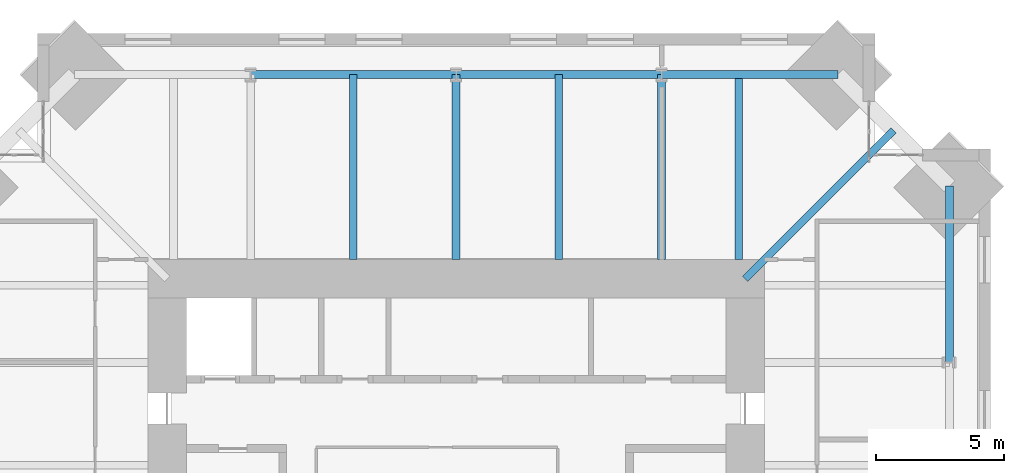
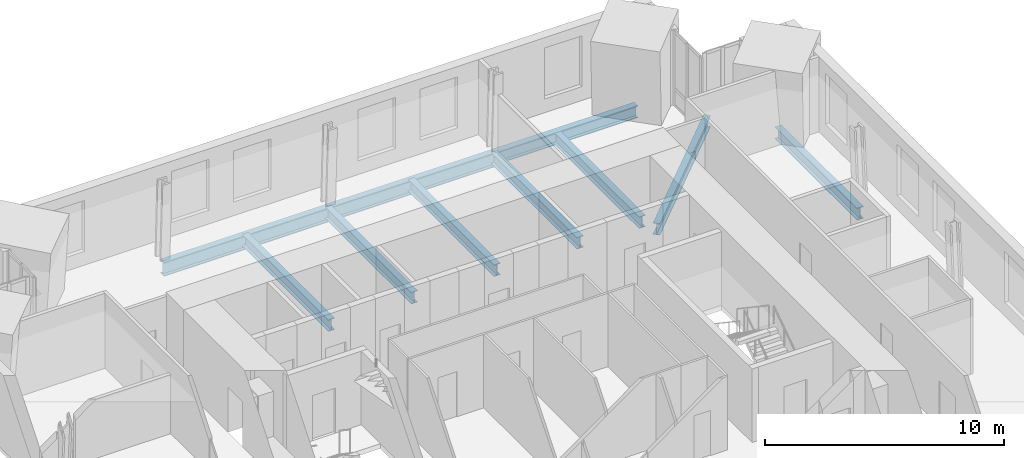
# One storey, part 7 of 15: 10 beams.
"""IFC4 building model written with IfcOpenShell, lengths in metres."""

from ifc_helpers import new_model, si_unit, direction, frame, origin, origin_2d, place, context, subcontext, project, spatial, i_section, extrude, material, material_profile, profile_set, type_object, element, save


model = new_model("IFC4")

# Units and contexts
model_context = context("Model", 3, precision=1e-05, world=origin(), true_north=direction((0.0, 1.0)))
body_context = subcontext(model_context, "Body", "Model", "MODEL_VIEW")
ifc_project = project(units=[si_unit("LENGTHUNIT", "METRE"), si_unit("AREAUNIT", "SQUARE_METRE"), si_unit("VOLUMEUNIT", "CUBIC_METRE"), si_unit("PLANEANGLEUNIT", "RADIAN"), si_unit("MASSUNIT", "GRAM", prefix="KILO")], contexts=[model_context])

# Site, building, storey
site_placement = place(None, origin())
site = spatial("IfcSite", under=ifc_project, at=site_placement, CompositionType="ELEMENT")
building_placement = place(site_placement, origin())
building = spatial("IfcBuilding", under=site, at=building_placement, Name="Peilmerk Tower", CompositionType="ELEMENT")
storey_placement = place(building_placement, frame((0.0, 0.0, 289.800048828125)))
storey = spatial("IfcBuildingStorey", under=building, at=storey_placement, Name="L65", CompositionType="ELEMENT", Elevation=289.800048828125)

# Beams
ifc_material = material(Name="Steel S355", Category="steel")
ifc_material_profile_1 = material_profile(ifc_material, i_section(OverallWidth=0.300048828125, OverallDepth=0.590087890625, WebThickness=0.012939453125, FlangeThickness=0.02490234375, at=origin_2d()), Name="HEA 600")
ifc_profile_set_1 = profile_set([ifc_material_profile_1], Name="Steel S355")
beam_type_1 = type_object("IfcBeamType", Name="B27 HEA 600 floor beam", PredefinedType="BEAM", material=ifc_profile_set_1)
for number, where, z_axis, x_axis, name in (
    (1, (11.0, 12.0, -0.465087890625), (0.0, 1.0, 0.0), (-1.0, 0.0, 0.0), "Floor beam L65"),
    (2, (8.0, 12.0, -0.465087890625), (0.0, 1.0, 0.0), (-1.0, 0.0, 0.0), "Floor beam L65"),
    (3, (4.0, 12.0, -0.465087890625), (0.0, 1.0, 0.0), (-1.0, 0.0, 0.0), "Floor beam L65"),
    (4, (0.0, 12.0, -0.465087890625), (0.0, 1.0, 0.0), (-1.0, 0.0, 0.0), "Floor beam L65"),
    (5, (-4.0, 12.0, -0.465087890625), (0.0, 1.0, 0.0), (-1.0, 0.0, 0.0), "Floor beam L65"),
):
    element("IfcBeam", number, at=place(storey_placement, frame(where, z_axis=z_axis, x_axis=x_axis)), inside=storey, type_object=beam_type_1, Name=name, PredefinedType="BEAM", context=body_context, shape_type="SweptSolid", body=[
        extrude(i_section(OverallWidth=0.300048828125, OverallDepth=0.590087890625, WebThickness=0.012939453125, FlangeThickness=0.02490234375, at=origin_2d()), origin(), (0.0, 0.0, 1.0), 7.211181640625),
    ])
beam_placement = place(storey_placement, frame((11.25, 11.25, -0.465087890625), z_axis=(0.707106781187, 0.707106781187, 0.0), x_axis=(-0.707106781187, 0.707106781187, 0.0)))
element("IfcBeam", 6, at=beam_placement, inside=storey, type_object=beam_type_1, Name="Corner girder L65", PredefinedType="BEAM", context=body_context, shape_type="SweptSolid", body=[
    extrude(i_section(OverallWidth=0.300048828125, OverallDepth=0.590087890625, WebThickness=0.012939453125, FlangeThickness=0.02490234375, at=origin_2d()), origin(), (0.0, 0.0, 1.0), 8.18310546875),
])
ifc_material_profile_2 = material_profile(ifc_material, i_section(OverallWidth=0.303955078125, OverallDepth=0.716064453125, WebThickness=0.02099609375, FlangeThickness=0.0400390625, at=origin_2d()), Name="HEM 700")
ifc_profile_set_2 = profile_set([ifc_material_profile_2], Name="Steel S355")
beam_type_2 = type_object("IfcBeamType", Name="B30 HEM 700 edge beam", PredefinedType="SPANDREL", material=ifc_profile_set_2)
for number, where, z_axis, x_axis, name in (
    (7, (8.0, 19.211181640625, -0.528076171875), (-1.0, 0.0, 0.0), (0.0, -1.0, 0.0), "Edge beam L65"),
    (8, (0.0, 19.211181640625, -0.528076171875), (-1.0, 0.0, 0.0), (0.0, -1.0, 0.0), "Edge beam L65"),
):
    element("IfcBeam", number, at=place(storey_placement, frame(where, z_axis=z_axis, x_axis=x_axis)), inside=storey, type_object=beam_type_2, Name=name, PredefinedType="SPANDREL", context=body_context, shape_type="SweptSolid", body=[
        extrude(i_section(OverallWidth=0.303955078125, OverallDepth=0.716064453125, WebThickness=0.02099609375, FlangeThickness=0.0400390625, at=origin_2d()), origin(), (0.0, 0.0, 1.0), 8.0),
    ])
ifc_material_profile_3 = material_profile(ifc_material, i_section(OverallWidth=0.304931640625, OverallDepth=0.6201171875, WebThickness=0.02099609375, FlangeThickness=0.0400390625, at=origin_2d()), Name="HEM 600")
ifc_profile_set_3 = profile_set([ifc_material_profile_3], Name="Steel S355")
beam_type_3 = type_object("IfcBeamType", Name="B31 HEM 600 edge beam", PredefinedType="SPANDREL", material=ifc_profile_set_3)
for number, where, z_axis, x_axis, name in (
    (9, (14.861328125, 19.211181640625, -0.47998046875), (-1.0, 0.0, 0.0), (0.0, -1.0, 0.0), "Edge beam L65"),
    (10, (19.211181640625, 8.0, -0.47998046875), (0.0, 1.0, 0.0), (-1.0, 0.0, 0.0), "Edge beam L65"),
):
    element("IfcBeam", number, at=place(storey_placement, frame(where, z_axis=z_axis, x_axis=x_axis)), inside=storey, type_object=beam_type_3, Name=name, PredefinedType="SPANDREL", context=body_context, shape_type="SweptSolid", body=[
        extrude(i_section(OverallWidth=0.304931640625, OverallDepth=0.6201171875, WebThickness=0.02099609375, FlangeThickness=0.0400390625, at=origin_2d()), origin(), (0.0, 0.0, 1.0), 6.861328125),
    ])

save(model, "model.ifc")
